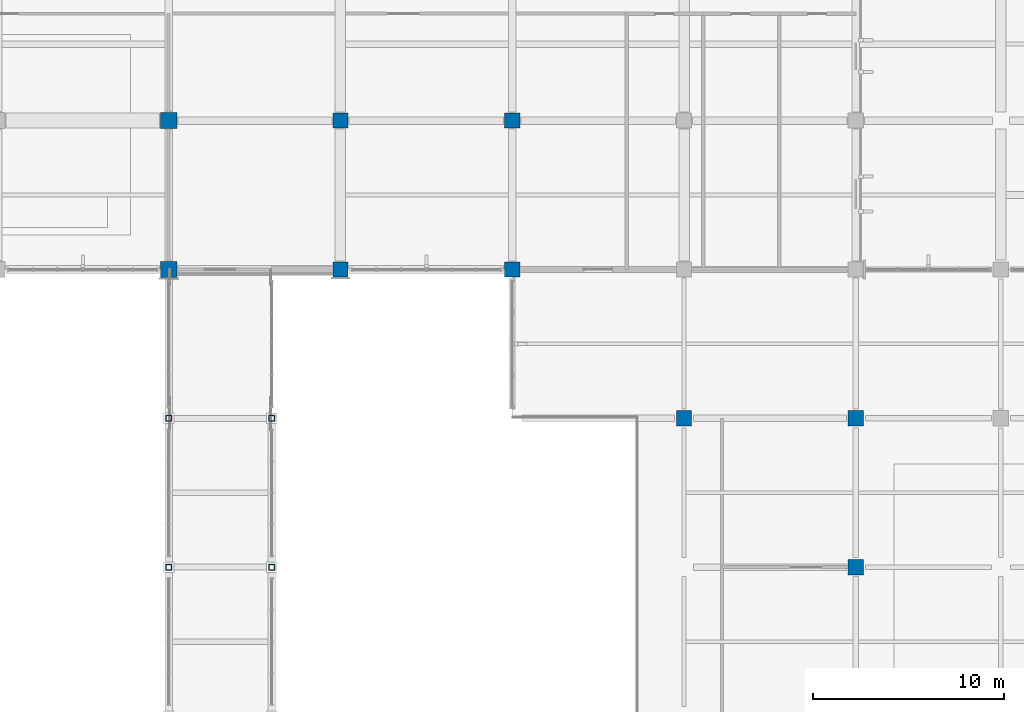
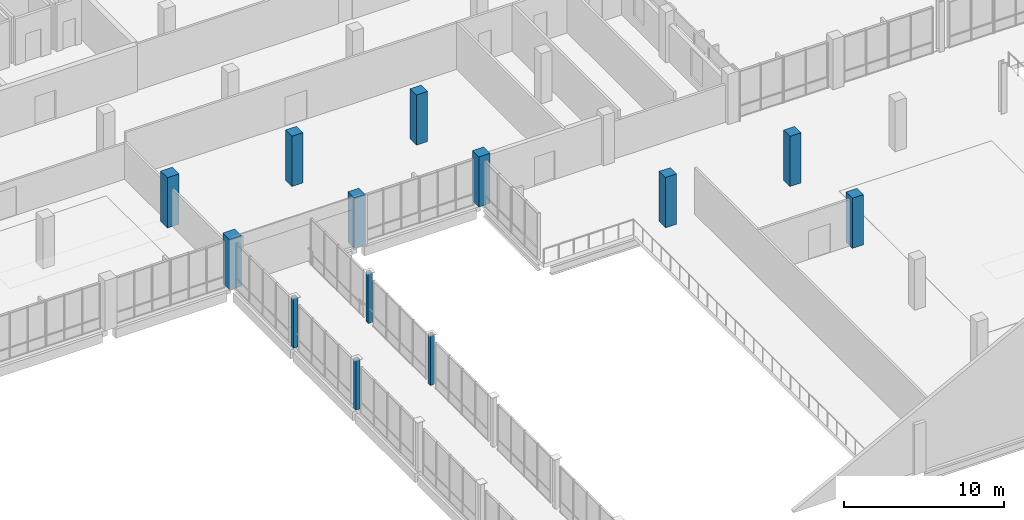
# One storey, part 10 of 85: 13 columns.
"""IFC4 building model written with IfcOpenShell, lengths in metres."""

from ifc_helpers import new_model, si_unit, direction, frame, origin, origin_2d, place, context, subcontext, project, spatial, rectangle, hollow_rectangle, extrude, material, material_profile, profile_set, type_object, element, save


model = new_model("IFC4")

# Units and contexts
model_context = context("Model", 3, precision=1e-05, world=origin(), true_north=direction((0.0, 1.0)))
body_context = subcontext(model_context, "Body", "Model", "MODEL_VIEW")
ifc_project = project(units=[si_unit("LENGTHUNIT", "METRE"), si_unit("AREAUNIT", "SQUARE_METRE"), si_unit("VOLUMEUNIT", "CUBIC_METRE"), si_unit("PLANEANGLEUNIT", "RADIAN"), si_unit("MASSUNIT", "GRAM", prefix="KILO")], contexts=[model_context])

# Site, building, storey
site_placement = place(None, origin())
site = spatial("IfcSite", under=ifc_project, at=site_placement, CompositionType="ELEMENT")
building_placement = place(site_placement, origin())
building = spatial("IfcBuilding", under=site, at=building_placement, Name="Vervanel Yard Central Library", CompositionType="ELEMENT")
storey_placement = place(building_placement, frame((0.0, 0.0, 5.10009765625)))
storey = spatial("IfcBuildingStorey", under=building, at=storey_placement, Name="L01", CompositionType="ELEMENT", Elevation=5.10009765625)

# Columns
ifc_material_1 = material(Name="Steel ASTM A500 Grade C", Category="steel")
ifc_material_profile_1 = material_profile(ifc_material_1, hollow_rectangle(XDim=0.3046875, YDim=0.3046875, WallThickness=0.0146484375, at=origin_2d()), Name="HSS12X12X5/8", Category="steel")
ifc_profile_set_1 = profile_set([ifc_material_profile_1], Name="Steel ASTM A500 Grade C")
column_type_1 = type_object("IfcColumnType", Name="Bridge Pier Column HSS12X12X5/8", PredefinedType="COLUMN", material=ifc_profile_set_1)
for number, where, z_axis, x_axis, name in (
    (1, (72.0, 66.60009765625, 0.0), (0.0, 0.0, 1.0), (1.0, 0.0, 0.0), "L01 Bridge Pier Column HSS12X12X5/8 (72.0, 66.6)"),
    (2, (72.0, 74.39990234375, 0.0), (0.0, 0.0, 1.0), (1.0, 0.0, 0.0), "L01 Bridge Pier Column HSS12X12X5/8 (72.0, 74.4)"),
    (3, (77.39990234375, 66.60009765625, 0.0), (0.0, 0.0, 1.0), (1.0, 0.0, 0.0), "L01 Bridge Pier Column HSS12X12X5/8 (77.4, 66.6)"),
    (4, (77.39990234375, 74.39990234375, 0.0), (0.0, 0.0, 1.0), (1.0, 0.0, 0.0), "L01 Bridge Pier Column HSS12X12X5/8 (77.4, 74.4)"),
):
    element("IfcColumn", number, at=place(storey_placement, frame(where, z_axis=z_axis, x_axis=x_axis)), inside=storey, type_object=column_type_1, Name=name, PredefinedType="COLUMN", context=body_context, shape_type="SweptSolid", body=[
        extrude(hollow_rectangle(XDim=0.3046875, YDim=0.3046875, WallThickness=0.0146484375, at=origin_2d()), origin(), (0.0, 0.0, 1.0), 3.83984375),
    ])
ifc_material_2 = material(Name="Concrete C45/55", Category="concrete")
ifc_material_profile_2 = material_profile(ifc_material_2, rectangle(XDim=0.800048828125, YDim=0.800048828125, at=origin_2d()), Name="RC 800x800", Category="concrete")
ifc_profile_set_2 = profile_set([ifc_material_profile_2], Name="Concrete C45/55")
column_type_2 = type_object("IfcColumnType", Name="Concrete Column 800x800", PredefinedType="COLUMN", material=ifc_profile_set_2)
for number, where, z_axis, x_axis, name in (
    (5, (81.0, 82.199951171875, 0.0), (0.0, 0.0, 1.0), (1.0, 0.0, 0.0), "L01 Concrete Column 800x800 (81.0, 82.2)"),
    (6, (81.0, 90.0, 0.0), (0.0, 0.0, 1.0), (1.0, 0.0, 0.0), "L01 Concrete Column 800x800 (81.0, 90.0)"),
    (7, (90.0, 82.199951171875, 0.0), (0.0, 0.0, 1.0), (1.0, 0.0, 0.0), "L01 Concrete Column 800x800 (90.0, 82.2)"),
    (8, (90.0, 90.0, 0.0), (0.0, 0.0, 1.0), (1.0, 0.0, 0.0), "L01 Concrete Column 800x800 (90.0, 90.0)"),
    (9, (99.0, 74.39990234375, 0.0), (0.0, 0.0, 1.0), (1.0, 0.0, 0.0), "L01 Concrete Column 800x800 (99.0, 74.4)"),
    (10, (108.0, 66.60009765625, 0.0), (0.0, 0.0, 1.0), (1.0, 0.0, 0.0), "L01 Concrete Column 800x800 (108.0, 66.6)"),
    (11, (108.0, 74.39990234375, 0.0), (0.0, 0.0, 1.0), (1.0, 0.0, 0.0), "L01 Concrete Column 800x800 (108.0, 74.4)"),
):
    element("IfcColumn", number, at=place(storey_placement, frame(where, z_axis=z_axis, x_axis=x_axis)), inside=storey, type_object=column_type_2, Name=name, PredefinedType="COLUMN", context=body_context, shape_type="SweptSolid", body=[
        extrude(rectangle(XDim=0.800048828125, YDim=0.800048828125, at=origin_2d()), origin(), (0.0, 0.0, 1.0), 3.83984375),
    ])
ifc_material_profile_3 = material_profile(ifc_material_2, rectangle(XDim=0.85009765625, YDim=0.85009765625, at=origin_2d()), Name="RC 850x850", Category="concrete")
ifc_profile_set_3 = profile_set([ifc_material_profile_3], Name="Concrete C45/55")
column_type_3 = type_object("IfcColumnType", Name="Concrete Column 850x850", PredefinedType="COLUMN", material=ifc_profile_set_3)
for number, where, z_axis, x_axis, name in (
    (12, (72.0, 82.199951171875, 0.0), (0.0, 0.0, 1.0), (1.0, 0.0, 0.0), "L01 Concrete Column 850x850 (72.0, 82.2)"),
    (13, (72.0, 90.0, 0.0), (0.0, 0.0, 1.0), (1.0, 0.0, 0.0), "L01 Concrete Column 850x850 (72.0, 90.0)"),
):
    element("IfcColumn", number, at=place(storey_placement, frame(where, z_axis=z_axis, x_axis=x_axis)), inside=storey, type_object=column_type_3, Name=name, PredefinedType="COLUMN", context=body_context, shape_type="SweptSolid", body=[
        extrude(rectangle(XDim=0.85009765625, YDim=0.85009765625, at=origin_2d()), origin(), (0.0, 0.0, 1.0), 3.83984375),
    ])

save(model, "model.ifc")
